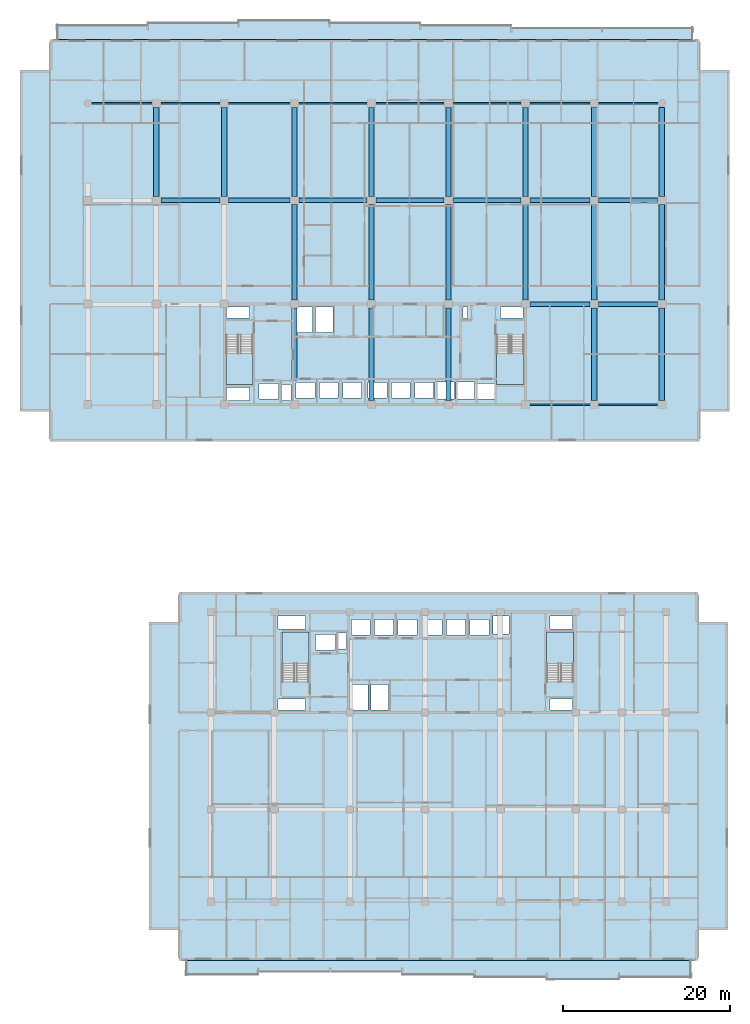
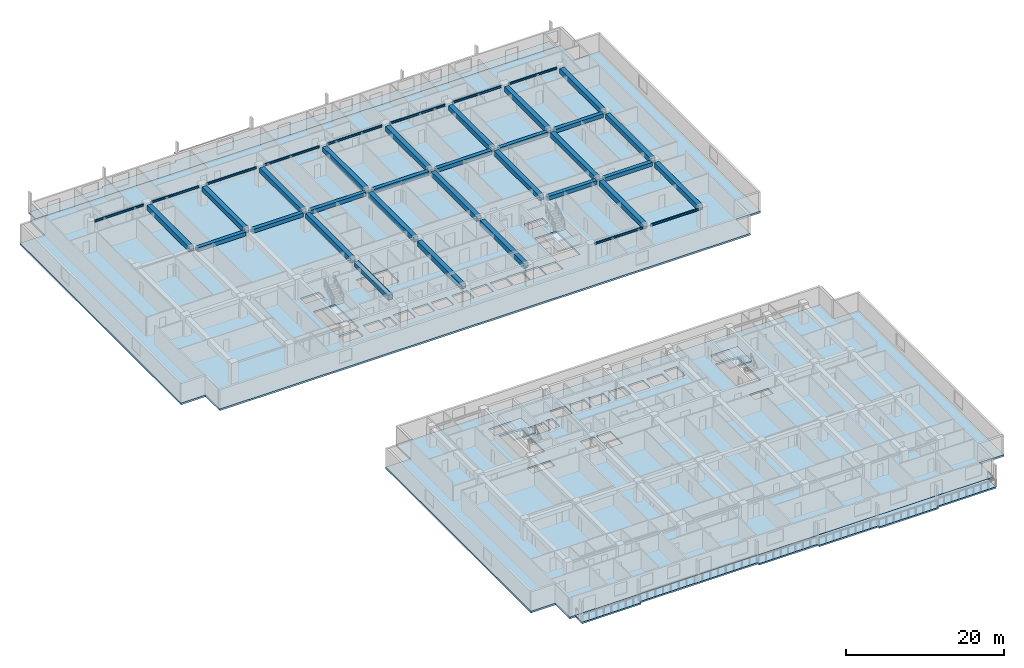
# One storey, part 2 of 23: 38 beams, 8 slabs, 4 elements without a shape of their own.
"""IFC4 building model written with IfcOpenShell, lengths in metres."""

from ifc_helpers import new_model, si_unit, direction, frame, origin, origin_2d, place, context, subcontext, project, spatial, polyline, rectangle, i_section, outline, extrude, material, layer, layer_set, material_profile, profile_set, type_object, element, aggregate, save


model = new_model("IFC4")

# Units and contexts
model_context = context("Model", 3, precision=1e-05, world=origin(), true_north=direction((0.0, 1.0)))
body_context = subcontext(model_context, "Body", "Model", "MODEL_VIEW")
ifc_project = project(units=[si_unit("LENGTHUNIT", "METRE"), si_unit("AREAUNIT", "SQUARE_METRE"), si_unit("VOLUMEUNIT", "CUBIC_METRE"), si_unit("PLANEANGLEUNIT", "RADIAN"), si_unit("MASSUNIT", "GRAM", prefix="KILO")], contexts=[model_context])

# Site, building, storey
site_placement = place(None, origin())
site = spatial("IfcSite", under=ifc_project, at=site_placement, CompositionType="ELEMENT")
building_placement = place(site_placement, origin())
building = spatial("IfcBuilding", under=site, at=building_placement, Name="Korimba Cascade Residences", CompositionType="ELEMENT")
storey_placement = place(building_placement, frame((0.0, 0.0, 50.0)))
storey = spatial("IfcBuildingStorey", under=building, at=storey_placement, Name="L13", CompositionType="ELEMENT", Elevation=50.0)

# Beams
ifc_material_1 = material(Name="Concrete C50/60", Category="concrete")
ifc_material_profile_1 = material_profile(ifc_material_1, rectangle(XDim=0.550048828125, YDim=0.60009765625, at=origin_2d()), Name="Concrete C50/60")
ifc_profile_set_1 = profile_set([ifc_material_profile_1], Name="Concrete C50/60")
beam_type_1 = type_object("IfcBeamType", Name="BM-RC-B600", PredefinedType="BEAM", material=ifc_profile_set_1)
beam_1_placement = place(storey_placement, frame((112.625, 67.199951171875, 2.669921875), z_axis=(1.0, 0.0, 0.0), x_axis=(0.0, 1.0, 0.0)))
element("IfcBeam", 1, at=beam_1_placement, inside=storey, type_object=beam_type_1, Name="L13 T1 E-W Girder Y2 Bay 7", PredefinedType="BEAM", context=body_context, shape_type="SweptSolid", body=[
    extrude(rectangle(XDim=0.550048828125, YDim=0.60009765625, at=origin_2d()), origin(), (0.0, 0.0, 1.0), 7.14990234375),
])
for number, where, z_axis, x_axis, name in (
    (2, (120.824951171875, 67.199951171875, 2.669921875), (1.0, 0.0, 0.0), (0.0, 1.0, 0.0), "L13 T1 E-W Girder Y2 Bay 8"),
    (3, (68.52490234375, 79.60009765625, 2.669921875), (1.0, 0.0, 0.0), (0.0, 1.0, 0.0), "L13 T1 E-W Girder Y3 Bay 2"),
):
    element("IfcBeam", number, at=place(storey_placement, frame(where, z_axis=z_axis, x_axis=x_axis)), inside=storey, type_object=beam_type_1, Name=name, PredefinedType="BEAM", context=body_context, shape_type="SweptSolid", body=[
        extrude(rectangle(XDim=0.550048828125, YDim=0.60009765625, at=origin_2d()), origin(), (0.0, 0.0, 1.0), 7.050048828125),
    ])
beam_2_placement = place(storey_placement, frame((76.625, 79.60009765625, 2.669921875), z_axis=(1.0, 0.0, 0.0), x_axis=(0.0, 1.0, 0.0)))
element("IfcBeam", 4, at=beam_2_placement, inside=storey, type_object=beam_type_1, Name="L13 T1 E-W Girder Y3 Bay 3", PredefinedType="BEAM", context=body_context, shape_type="SweptSolid", body=[
    extrude(rectangle(XDim=0.550048828125, YDim=0.60009765625, at=origin_2d()), origin(), (0.0, 0.0, 1.0), 7.35009765625),
])
beam_3_placement = place(storey_placement, frame((85.02490234375, 79.60009765625, 2.669921875), z_axis=(1.0, 0.0, 0.0), x_axis=(0.0, 1.0, 0.0)))
element("IfcBeam", 5, at=beam_3_placement, inside=storey, type_object=beam_type_1, Name="L13 T1 E-W Girder Y3 Bay 4", PredefinedType="BEAM", context=body_context, shape_type="SweptSolid", body=[
    extrude(rectangle(XDim=0.550048828125, YDim=0.60009765625, at=origin_2d()), origin(), (0.0, 0.0, 1.0), 8.150146484375),
])
for number, where, z_axis, x_axis, name in (
    (6, (94.22509765625, 79.60009765625, 2.669921875), (1.0, 0.0, 0.0), (0.0, 1.0, 0.0), "L13 T1 E-W Girder Y3 Bay 5"),
    (7, (103.425048828125, 79.60009765625, 2.669921875), (1.0, 0.0, 0.0), (0.0, 1.0, 0.0), "L13 T1 E-W Girder Y3 Bay 6"),
):
    element("IfcBeam", number, at=place(storey_placement, frame(where, z_axis=z_axis, x_axis=x_axis)), inside=storey, type_object=beam_type_1, Name=name, PredefinedType="BEAM", context=body_context, shape_type="SweptSolid", body=[
        extrude(rectangle(XDim=0.550048828125, YDim=0.60009765625, at=origin_2d()), origin(), (0.0, 0.0, 1.0), 8.14990234375),
    ])
beam_4_placement = place(storey_placement, frame((112.625, 79.60009765625, 2.669921875), z_axis=(1.0, 0.0, 0.0), x_axis=(0.0, 1.0, 0.0)))
element("IfcBeam", 8, at=beam_4_placement, inside=storey, type_object=beam_type_1, Name="L13 T1 E-W Girder Y3 Bay 7", PredefinedType="BEAM", context=body_context, shape_type="SweptSolid", body=[
    extrude(rectangle(XDim=0.550048828125, YDim=0.60009765625, at=origin_2d()), origin(), (0.0, 0.0, 1.0), 7.14990234375),
])
beam_5_placement = place(storey_placement, frame((120.824951171875, 79.60009765625, 2.669921875), z_axis=(1.0, 0.0, 0.0), x_axis=(0.0, 1.0, 0.0)))
element("IfcBeam", 9, at=beam_5_placement, inside=storey, type_object=beam_type_1, Name="L13 T1 E-W Girder Y3 Bay 8", PredefinedType="BEAM", context=body_context, shape_type="SweptSolid", body=[
    extrude(rectangle(XDim=0.550048828125, YDim=0.60009765625, at=origin_2d()), origin(), (0.0, 0.0, 1.0), 7.050048828125),
])
ifc_material_profile_2 = material_profile(ifc_material_1, rectangle(XDim=0.64990234375, YDim=0.75, at=origin_2d()), Name="Concrete C50/60")
ifc_profile_set_2 = profile_set([ifc_material_profile_2], Name="Concrete C50/60")
beam_type_2 = type_object("IfcBeamType", Name="BM-RC-G750", PredefinedType="BEAM", material=ifc_profile_set_2)
for number, where, z_axis, x_axis, name in (
    (10, (68.0, 80.074951171875, 2.594970703125), (0.0, 1.0, 0.0), (-1.0, 0.0, 0.0), "L13 T1 N-S Girder X2 Seg 3"),
    (11, (76.10009765625, 80.074951171875, 2.594970703125), (0.0, 1.0, 0.0), (-1.0, 0.0, 0.0), "L13 T1 N-S Girder X3 Seg 3"),
):
    element("IfcBeam", number, at=place(storey_placement, frame(where, z_axis=z_axis, x_axis=x_axis)), inside=storey, type_object=beam_type_2, Name=name, PredefinedType="BEAM", context=body_context, shape_type="SweptSolid", body=[
        extrude(rectangle(XDim=0.64990234375, YDim=0.75, at=origin_2d()), origin(), (0.0, 0.0, 1.0), 10.650146484375),
    ])
beam_6_placement = place(storey_placement, frame((84.5, 58.159912109375, 2.594970703125), z_axis=(0.0, 1.0, 0.0), x_axis=(-1.0, 0.0, 0.0)))
element("IfcBeam", 12, at=beam_6_placement, inside=storey, type_object=beam_type_2, Name="L13 T1 N-S Girder X4 Seg 1", PredefinedType="BEAM", context=body_context, shape_type="SweptSolid", body=[
    extrude(rectangle(XDim=0.64990234375, YDim=0.75, at=origin_2d()), origin(), (0.0, 0.0, 1.0), 8.565185546875),
])
beam_7_placement = place(storey_placement, frame((84.5, 67.675048828125, 2.594970703125), z_axis=(0.0, 1.0, 0.0), x_axis=(-1.0, 0.0, 0.0)))
element("IfcBeam", 13, at=beam_7_placement, inside=storey, type_object=beam_type_2, Name="L13 T1 N-S Girder X4 Seg 2", PredefinedType="BEAM", context=body_context, shape_type="SweptSolid", body=[
    extrude(rectangle(XDim=0.64990234375, YDim=0.75, at=origin_2d()), origin(), (0.0, 0.0, 1.0), 11.449951171875),
])
beam_8_placement = place(storey_placement, frame((84.5, 80.074951171875, 2.594970703125), z_axis=(0.0, 1.0, 0.0), x_axis=(-1.0, 0.0, 0.0)))
element("IfcBeam", 14, at=beam_8_placement, inside=storey, type_object=beam_type_2, Name="L13 T1 N-S Girder X4 Seg 3", PredefinedType="BEAM", context=body_context, shape_type="SweptSolid", body=[
    extrude(rectangle(XDim=0.64990234375, YDim=0.75, at=origin_2d()), origin(), (0.0, 0.0, 1.0), 10.650146484375),
])
beam_9_placement = place(storey_placement, frame((93.699951171875, 55.675048828125, 2.594970703125), z_axis=(0.0, 1.0, 0.0), x_axis=(-1.0, 0.0, 0.0)))
element("IfcBeam", 15, at=beam_9_placement, inside=storey, type_object=beam_type_2, Name="L13 T1 N-S Girder X5 Seg 1", PredefinedType="BEAM", context=body_context, shape_type="SweptSolid", body=[
    extrude(rectangle(XDim=0.64990234375, YDim=0.75, at=origin_2d()), origin(), (0.0, 0.0, 1.0), 11.050048828125),
])
beam_10_placement = place(storey_placement, frame((93.699951171875, 67.675048828125, 2.594970703125), z_axis=(0.0, 1.0, 0.0), x_axis=(-1.0, 0.0, 0.0)))
element("IfcBeam", 16, at=beam_10_placement, inside=storey, type_object=beam_type_2, Name="L13 T1 N-S Girder X5 Seg 2", PredefinedType="BEAM", context=body_context, shape_type="SweptSolid", body=[
    extrude(rectangle(XDim=0.64990234375, YDim=0.75, at=origin_2d()), origin(), (0.0, 0.0, 1.0), 11.449951171875),
])
beam_11_placement = place(storey_placement, frame((93.699951171875, 80.074951171875, 2.594970703125), z_axis=(0.0, 1.0, 0.0), x_axis=(-1.0, 0.0, 0.0)))
element("IfcBeam", 17, at=beam_11_placement, inside=storey, type_object=beam_type_2, Name="L13 T1 N-S Girder X5 Seg 3", PredefinedType="BEAM", context=body_context, shape_type="SweptSolid", body=[
    extrude(rectangle(XDim=0.64990234375, YDim=0.75, at=origin_2d()), origin(), (0.0, 0.0, 1.0), 10.650146484375),
])
beam_12_placement = place(storey_placement, frame((102.89990234375, 55.675048828125, 2.594970703125), z_axis=(0.0, 1.0, 0.0), x_axis=(-1.0, 0.0, 0.0)))
element("IfcBeam", 18, at=beam_12_placement, inside=storey, type_object=beam_type_2, Name="L13 T1 N-S Girder X6 Seg 1", PredefinedType="BEAM", context=body_context, shape_type="SweptSolid", body=[
    extrude(rectangle(XDim=0.64990234375, YDim=0.75, at=origin_2d()), origin(), (0.0, 0.0, 1.0), 11.050048828125),
])
beam_13_placement = place(storey_placement, frame((102.89990234375, 67.675048828125, 2.594970703125), z_axis=(0.0, 1.0, 0.0), x_axis=(-1.0, 0.0, 0.0)))
element("IfcBeam", 19, at=beam_13_placement, inside=storey, type_object=beam_type_2, Name="L13 T1 N-S Girder X6 Seg 2", PredefinedType="BEAM", context=body_context, shape_type="SweptSolid", body=[
    extrude(rectangle(XDim=0.64990234375, YDim=0.75, at=origin_2d()), origin(), (0.0, 0.0, 1.0), 11.449951171875),
])
beam_14_placement = place(storey_placement, frame((102.89990234375, 80.074951171875, 2.594970703125), z_axis=(0.0, 1.0, 0.0), x_axis=(-1.0, 0.0, 0.0)))
element("IfcBeam", 20, at=beam_14_placement, inside=storey, type_object=beam_type_2, Name="L13 T1 N-S Girder X6 Seg 3", PredefinedType="BEAM", context=body_context, shape_type="SweptSolid", body=[
    extrude(rectangle(XDim=0.64990234375, YDim=0.75, at=origin_2d()), origin(), (0.0, 0.0, 1.0), 10.650146484375),
])
beam_15_placement = place(storey_placement, frame((112.10009765625, 67.675048828125, 2.594970703125), z_axis=(0.0, 1.0, 0.0), x_axis=(-1.0, 0.0, 0.0)))
element("IfcBeam", 21, at=beam_15_placement, inside=storey, type_object=beam_type_2, Name="L13 T1 N-S Girder X7 Seg 2", PredefinedType="BEAM", context=body_context, shape_type="SweptSolid", body=[
    extrude(rectangle(XDim=0.64990234375, YDim=0.75, at=origin_2d()), origin(), (0.0, 0.0, 1.0), 11.449951171875),
])
beam_16_placement = place(storey_placement, frame((112.10009765625, 80.074951171875, 2.594970703125), z_axis=(0.0, 1.0, 0.0), x_axis=(-1.0, 0.0, 0.0)))
element("IfcBeam", 22, at=beam_16_placement, inside=storey, type_object=beam_type_2, Name="L13 T1 N-S Girder X7 Seg 3", PredefinedType="BEAM", context=body_context, shape_type="SweptSolid", body=[
    extrude(rectangle(XDim=0.64990234375, YDim=0.75, at=origin_2d()), origin(), (0.0, 0.0, 1.0), 10.650146484375),
])
beam_17_placement = place(storey_placement, frame((120.300048828125, 55.675048828125, 2.594970703125), z_axis=(0.0, 1.0, 0.0), x_axis=(-1.0, 0.0, 0.0)))
element("IfcBeam", 23, at=beam_17_placement, inside=storey, type_object=beam_type_2, Name="L13 T1 N-S Girder X8 Seg 1", PredefinedType="BEAM", context=body_context, shape_type="SweptSolid", body=[
    extrude(rectangle(XDim=0.64990234375, YDim=0.75, at=origin_2d()), origin(), (0.0, 0.0, 1.0), 11.050048828125),
])
beam_18_placement = place(storey_placement, frame((120.300048828125, 67.675048828125, 2.594970703125), z_axis=(0.0, 1.0, 0.0), x_axis=(-1.0, 0.0, 0.0)))
element("IfcBeam", 24, at=beam_18_placement, inside=storey, type_object=beam_type_2, Name="L13 T1 N-S Girder X8 Seg 2", PredefinedType="BEAM", context=body_context, shape_type="SweptSolid", body=[
    extrude(rectangle(XDim=0.64990234375, YDim=0.75, at=origin_2d()), origin(), (0.0, 0.0, 1.0), 11.449951171875),
])
beam_19_placement = place(storey_placement, frame((120.300048828125, 80.074951171875, 2.594970703125), z_axis=(0.0, 1.0, 0.0), x_axis=(-1.0, 0.0, 0.0)))
element("IfcBeam", 25, at=beam_19_placement, inside=storey, type_object=beam_type_2, Name="L13 T1 N-S Girder X8 Seg 3", PredefinedType="BEAM", context=body_context, shape_type="SweptSolid", body=[
    extrude(rectangle(XDim=0.64990234375, YDim=0.75, at=origin_2d()), origin(), (0.0, 0.0, 1.0), 10.650146484375),
])
beam_20_placement = place(storey_placement, frame((128.39990234375, 55.675048828125, 2.594970703125), z_axis=(0.0, 1.0, 0.0), x_axis=(-1.0, 0.0, 0.0)))
element("IfcBeam", 26, at=beam_20_placement, inside=storey, type_object=beam_type_2, Name="L13 T1 N-S Girder X9 Seg 1", PredefinedType="BEAM", context=body_context, shape_type="SweptSolid", body=[
    extrude(rectangle(XDim=0.64990234375, YDim=0.75, at=origin_2d()), origin(), (0.0, 0.0, 1.0), 11.050048828125),
])
beam_21_placement = place(storey_placement, frame((128.39990234375, 67.675048828125, 2.594970703125), z_axis=(0.0, 1.0, 0.0), x_axis=(-1.0, 0.0, 0.0)))
element("IfcBeam", 27, at=beam_21_placement, inside=storey, type_object=beam_type_2, Name="L13 T1 N-S Girder X9 Seg 2", PredefinedType="BEAM", context=body_context, shape_type="SweptSolid", body=[
    extrude(rectangle(XDim=0.64990234375, YDim=0.75, at=origin_2d()), origin(), (0.0, 0.0, 1.0), 11.449951171875),
])
beam_22_placement = place(storey_placement, frame((128.39990234375, 80.074951171875, 2.594970703125), z_axis=(0.0, 1.0, 0.0), x_axis=(-1.0, 0.0, 0.0)))
element("IfcBeam", 28, at=beam_22_placement, inside=storey, type_object=beam_type_2, Name="L13 T1 N-S Girder X9 Seg 3", PredefinedType="BEAM", context=body_context, shape_type="SweptSolid", body=[
    extrude(rectangle(XDim=0.64990234375, YDim=0.75, at=origin_2d()), origin(), (0.0, 0.0, 1.0), 10.650146484375),
])
ifc_material_2 = material(Name="Steel S355", Category="steel")
ifc_material_profile_3 = material_profile(ifc_material_2, i_section(OverallWidth=0.165771484375, OverallDepth=0.306640625, WebThickness=0.006591796875, FlangeThickness=0.01171875, FilletRadius=0.0087890625, at=origin_2d()), Name="Steel S355")
ifc_profile_set_3 = profile_set([ifc_material_profile_3], Name="Steel S355")
beam_type_3 = type_object("IfcBeamType", Name="BM-STL-UB305", PredefinedType="SPANDREL", material=ifc_profile_set_3)
beam_23_placement = place(storey_placement, frame((112.625, 55.199951171875, 2.816650390625), z_axis=(1.0, 0.0, 0.0), x_axis=(0.0, 1.0, 0.0)))
element("IfcBeam", 29, at=beam_23_placement, inside=storey, type_object=beam_type_3, Name="L13 T1 E-W Girder Y1 Bay 7", PredefinedType="SPANDREL", context=body_context, shape_type="SweptSolid", body=[
    extrude(i_section(OverallWidth=0.165771484375, OverallDepth=0.306640625, WebThickness=0.006591796875, FlangeThickness=0.01171875, FilletRadius=0.0087890625, at=origin_2d()), origin(), (0.0, 0.0, 1.0), 7.14990234375),
])
beam_24_placement = place(storey_placement, frame((120.824951171875, 55.199951171875, 2.816650390625), z_axis=(1.0, 0.0, 0.0), x_axis=(0.0, 1.0, 0.0)))
element("IfcBeam", 30, at=beam_24_placement, inside=storey, type_object=beam_type_3, Name="L13 T1 E-W Girder Y1 Bay 8", PredefinedType="SPANDREL", context=body_context, shape_type="SweptSolid", body=[
    extrude(i_section(OverallWidth=0.165771484375, OverallDepth=0.306640625, WebThickness=0.006591796875, FlangeThickness=0.01171875, FilletRadius=0.0087890625, at=origin_2d()), origin(), (0.0, 0.0, 1.0), 7.050048828125),
])
beam_25_placement = place(storey_placement, frame((60.27490234375, 91.199951171875, 2.816650390625), z_axis=(1.0, 0.0, 0.0), x_axis=(0.0, 1.0, 0.0)))
element("IfcBeam", 31, at=beam_25_placement, inside=storey, type_object=beam_type_3, Name="L13 T1 E-W Girder Y4 Bay 1", PredefinedType="SPANDREL", context=body_context, shape_type="SweptSolid", body=[
    extrude(i_section(OverallWidth=0.165771484375, OverallDepth=0.306640625, WebThickness=0.006591796875, FlangeThickness=0.01171875, FilletRadius=0.0087890625, at=origin_2d()), origin(), (0.0, 0.0, 1.0), 7.2001953125),
])
beam_26_placement = place(storey_placement, frame((68.52490234375, 91.199951171875, 2.816650390625), z_axis=(1.0, 0.0, 0.0), x_axis=(0.0, 1.0, 0.0)))
element("IfcBeam", 32, at=beam_26_placement, inside=storey, type_object=beam_type_3, Name="L13 T1 E-W Girder Y4 Bay 2", PredefinedType="SPANDREL", context=body_context, shape_type="SweptSolid", body=[
    extrude(i_section(OverallWidth=0.165771484375, OverallDepth=0.306640625, WebThickness=0.006591796875, FlangeThickness=0.01171875, FilletRadius=0.0087890625, at=origin_2d()), origin(), (0.0, 0.0, 1.0), 7.050048828125),
])
beam_27_placement = place(storey_placement, frame((76.625, 91.199951171875, 2.816650390625), z_axis=(1.0, 0.0, 0.0), x_axis=(0.0, 1.0, 0.0)))
element("IfcBeam", 33, at=beam_27_placement, inside=storey, type_object=beam_type_3, Name="L13 T1 E-W Girder Y4 Bay 3", PredefinedType="SPANDREL", context=body_context, shape_type="SweptSolid", body=[
    extrude(i_section(OverallWidth=0.165771484375, OverallDepth=0.306640625, WebThickness=0.006591796875, FlangeThickness=0.01171875, FilletRadius=0.0087890625, at=origin_2d()), origin(), (0.0, 0.0, 1.0), 7.35009765625),
])
beam_28_placement = place(storey_placement, frame((85.02490234375, 91.199951171875, 2.816650390625), z_axis=(1.0, 0.0, 0.0), x_axis=(0.0, 1.0, 0.0)))
element("IfcBeam", 34, at=beam_28_placement, inside=storey, type_object=beam_type_3, Name="L13 T1 E-W Girder Y4 Bay 4", PredefinedType="SPANDREL", context=body_context, shape_type="SweptSolid", body=[
    extrude(i_section(OverallWidth=0.165771484375, OverallDepth=0.306640625, WebThickness=0.006591796875, FlangeThickness=0.01171875, FilletRadius=0.0087890625, at=origin_2d()), origin(), (0.0, 0.0, 1.0), 8.150146484375),
])
for number, where, z_axis, x_axis, name in (
    (35, (94.22509765625, 91.199951171875, 2.816650390625), (1.0, 0.0, 0.0), (0.0, 1.0, 0.0), "L13 T1 E-W Girder Y4 Bay 5"),
    (36, (103.425048828125, 91.199951171875, 2.816650390625), (1.0, 0.0, 0.0), (0.0, 1.0, 0.0), "L13 T1 E-W Girder Y4 Bay 6"),
):
    element("IfcBeam", number, at=place(storey_placement, frame(where, z_axis=z_axis, x_axis=x_axis)), inside=storey, type_object=beam_type_3, Name=name, PredefinedType="SPANDREL", context=body_context, shape_type="SweptSolid", body=[
        extrude(i_section(OverallWidth=0.165771484375, OverallDepth=0.306640625, WebThickness=0.006591796875, FlangeThickness=0.01171875, FilletRadius=0.0087890625, at=origin_2d()), origin(), (0.0, 0.0, 1.0), 8.14990234375),
    ])
beam_29_placement = place(storey_placement, frame((112.625, 91.199951171875, 2.816650390625), z_axis=(1.0, 0.0, 0.0), x_axis=(0.0, 1.0, 0.0)))
element("IfcBeam", 37, at=beam_29_placement, inside=storey, type_object=beam_type_3, Name="L13 T1 E-W Girder Y4 Bay 7", PredefinedType="SPANDREL", context=body_context, shape_type="SweptSolid", body=[
    extrude(i_section(OverallWidth=0.165771484375, OverallDepth=0.306640625, WebThickness=0.006591796875, FlangeThickness=0.01171875, FilletRadius=0.0087890625, at=origin_2d()), origin(), (0.0, 0.0, 1.0), 7.14990234375),
])
beam_30_placement = place(storey_placement, frame((120.824951171875, 91.199951171875, 2.816650390625), z_axis=(1.0, 0.0, 0.0), x_axis=(0.0, 1.0, 0.0)))
element("IfcBeam", 38, at=beam_30_placement, inside=storey, type_object=beam_type_3, Name="L13 T1 E-W Girder Y4 Bay 8", PredefinedType="SPANDREL", context=body_context, shape_type="SweptSolid", body=[
    extrude(i_section(OverallWidth=0.165771484375, OverallDepth=0.306640625, WebThickness=0.006591796875, FlangeThickness=0.01171875, FilletRadius=0.0087890625, at=origin_2d()), origin(), (0.0, 0.0, 1.0), 7.10009765625),
])

# Stair, slab
stair_type_1 = type_object("IfcStairType", Name="STR-W1-18R-1806", PredefinedType="HALF_TURN_STAIR", material=ifc_material_1)
stair_1_placement = place(storey_placement, origin())
stair_1 = element("IfcStair", 39, at=stair_1_placement, inside=storey, type_object=stair_type_1, Name="L13 Tower 1 West Fire Stair ST-W1", PredefinedType="HALF_TURN_STAIR")
ifc_layer_1 = layer(ifc_material_1, 0.199951171875)
ifc_layer_set_1 = layer_set([ifc_layer_1], Name="Concrete C50/60")
slab_type_1 = type_object("IfcSlabType", Name="SLB-LND-220", PredefinedType="LANDING", material=ifc_layer_set_1)
slab_1_placement = place(storey_placement, frame((0.0, 0.0, 1.425048828125)))
slab_1 = element("IfcSlab", 40, at=slab_1_placement, type_object=slab_type_1, Name="ST-W1 landing 1", PredefinedType="LANDING", context=body_context, shape_type="SweptSolid", body=[
    extrude(outline(polyline([(76.300048828125, 61.31005859375), (76.300048828125, 57.60009765625), (79.5400390625, 57.60009765625), (79.5400390625, 61.31005859375), (76.300048828125, 61.31005859375)])), origin(), (0.0, 0.0, 1.0), 0.199951171875),
])
aggregate(stair_1, [slab_1])

stair_type_2 = type_object("IfcStairType", Name="STR-W2-18R-1806", PredefinedType="HALF_TURN_STAIR", material=ifc_material_1)
stair_2_placement = place(storey_placement, origin())
stair_2 = element("IfcStair", 41, at=stair_2_placement, inside=storey, type_object=stair_type_2, Name="L13 Tower 1 East Fire Stair ST-W2", PredefinedType="HALF_TURN_STAIR")
slab_2_placement = place(storey_placement, frame((0.0, 0.0, 1.425048828125)))
slab_2 = element("IfcSlab", 42, at=slab_2_placement, type_object=slab_type_1, Name="ST-W2 landing 1", PredefinedType="LANDING", context=body_context, shape_type="SweptSolid", body=[
    extrude(outline(polyline([(108.659912109375, 61.31005859375), (108.659912109375, 57.60009765625), (111.89990234375, 57.60009765625), (111.89990234375, 61.31005859375), (108.659912109375, 61.31005859375)])), origin(), (0.0, 0.0, 1.0), 0.199951171875),
])
aggregate(stair_2, [slab_2])

stair_type_3 = type_object("IfcStairType", Name="STR-E1-18R-1806", PredefinedType="HALF_TURN_STAIR", material=ifc_material_1)
stair_3_placement = place(storey_placement, origin())
stair_3 = element("IfcStair", 43, at=stair_3_placement, inside=storey, type_object=stair_type_3, Name="L13 Tower 2 West Fire Stair ST-E1", PredefinedType="HALF_TURN_STAIR")
slab_3_placement = place(storey_placement, frame((0.0, 0.0, 1.425048828125)))
slab_3 = element("IfcSlab", 44, at=slab_3_placement, type_object=slab_type_1, Name="ST-E1 landing 1", PredefinedType="LANDING", context=body_context, shape_type="SweptSolid", body=[
    extrude(outline(polyline([(86.239990234375, 24.2900390625), (86.239990234375, 28.0), (83.0, 28.0), (83.0, 24.2900390625), (86.239990234375, 24.2900390625)])), origin(), (0.0, 0.0, 1.0), 0.199951171875),
])
aggregate(stair_3, [slab_3])

stair_type_4 = type_object("IfcStairType", Name="STR-E2-18R-1806", PredefinedType="HALF_TURN_STAIR", material=ifc_material_1)
stair_4_placement = place(storey_placement, origin())
stair_4 = element("IfcStair", 45, at=stair_4_placement, inside=storey, type_object=stair_type_4, Name="L13 Tower 2 East Fire Stair ST-E2", PredefinedType="HALF_TURN_STAIR")
slab_4_placement = place(storey_placement, frame((0.0, 0.0, 1.425048828125)))
slab_4 = element("IfcSlab", 46, at=slab_4_placement, type_object=slab_type_1, Name="ST-E2 landing 1", PredefinedType="LANDING", context=body_context, shape_type="SweptSolid", body=[
    extrude(outline(polyline([(117.840087890625, 24.2900390625), (117.840087890625, 28.0), (114.60009765625, 28.0), (114.60009765625, 24.2900390625), (117.840087890625, 24.2900390625)])), origin(), (0.0, 0.0, 1.0), 0.199951171875),
])
aggregate(stair_4, [slab_4])

# Slabs
ifc_material_3 = material(Name="Precast concrete C40/50", Category="concrete")
ifc_layer_2 = layer(ifc_material_3, 0.239990234375)
ifc_layer_set_2 = layer_set([ifc_layer_2], Name="Precast concrete C40/50")
slab_type_2 = type_object("IfcSlabType", Name="SLB-LOG-240", PredefinedType="FLOOR", material=ifc_layer_set_2)
slab_5_placement = place(storey_placement, frame((0.0, 0.0, -0.239990234375)))
element("IfcSlab", 47, at=slab_5_placement, inside=storey, type_object=slab_type_2, Name="L13 Tower 1 North Loggia Slab", PredefinedType="FLOOR", context=body_context, shape_type="SweptSolid", body=[
    extrude(outline(polyline([(56.10009765625, 98.800048828125), (132.10009765625, 98.800048828125), (132.10009765625, 100.25), (110.3857421875, 100.25), (110.3857421875, 100.550048828125), (99.528564453125, 100.550048828125), (99.528564453125, 100.85009765625), (88.67138671875, 100.85009765625), (88.67138671875, 101.14990234375), (77.814208984375, 101.14990234375), (77.814208984375, 100.85009765625), (66.95703125, 100.85009765625), (66.95703125, 100.550048828125), (56.10009765625, 100.550048828125), (56.10009765625, 98.800048828125)])), origin(), (0.0, 0.0, 1.0), 0.239990234375),
])
slab_6_placement = place(storey_placement, frame((0.0, 0.0, -0.239990234375)))
element("IfcSlab", 48, at=slab_6_placement, inside=storey, type_object=slab_type_2, Name="L13 Tower 2 South Loggia Slab", PredefinedType="FLOOR", context=body_context, shape_type="SweptSolid", body=[
    extrude(outline(polyline([(71.5, -12.949951171875), (80.128662109375, -12.949951171875), (80.128662109375, -12.64990234375), (97.3857421875, -12.64990234375), (97.3857421875, -12.949951171875), (106.014404296875, -12.949951171875), (106.014404296875, -13.25), (114.642822265625, -13.25), (114.642822265625, -13.550048828125), (123.271484375, -13.550048828125), (123.271484375, -13.25), (131.89990234375, -13.25), (131.89990234375, -11.199951171875), (71.5, -11.199951171875), (71.5, -12.949951171875)])), origin(), (0.0, 0.0, 1.0), 0.239990234375),
])
ifc_layer_3 = layer(ifc_material_1, 0.280029296875)
ifc_layer_set_3 = layer_set([ifc_layer_3], Name="Concrete C50/60")
slab_type_3 = type_object("IfcSlabType", Name="SLB-TYP-280", PredefinedType="FLOOR", material=ifc_layer_set_3)
slab_7_placement = place(storey_placement, frame((0.0, 0.0, -0.280029296875)))
element("IfcSlab", 49, at=slab_7_placement, inside=storey, type_object=slab_type_3, Name="L13 Tower 1 Floor Slab", PredefinedType="FLOOR", context=body_context, shape_type="SweptSolid", body=[
    extrude(outline(polyline([(55.300048828125, 50.800048828125), (132.89990234375, 50.800048828125), (132.89990234375, 54.39990234375), (136.5, 54.39990234375), (136.5, 95.199951171875), (132.89990234375, 95.199951171875), (132.89990234375, 98.800048828125), (55.300048828125, 98.800048828125), (55.300048828125, 95.199951171875), (51.699951171875, 95.199951171875), (51.699951171875, 54.39990234375), (55.300048828125, 54.39990234375), (55.300048828125, 50.800048828125)]), holes=[polyline([(76.300048828125, 63.514892578125), (76.300048828125, 57.60009765625), (79.5400390625, 57.60009765625), (79.5400390625, 63.514892578125), (76.300048828125, 63.514892578125)]), polyline([(108.659912109375, 63.514892578125), (108.659912109375, 57.60009765625), (111.89990234375, 57.60009765625), (111.89990234375, 63.514892578125), (108.659912109375, 63.514892578125)]), polyline([(80.22998046875, 55.8798828125), (82.570068359375, 55.8798828125), (82.570068359375, 57.719970703125), (80.22998046875, 57.719970703125), (80.22998046875, 55.8798828125)]), polyline([(106.080078125, 55.8798828125), (108.419921875, 55.8798828125), (108.419921875, 57.719970703125), (106.080078125, 57.719970703125), (106.080078125, 55.8798828125)]), polyline([(84.679931640625, 55.97998046875), (86.919921875, 55.97998046875), (86.919921875, 57.820068359375), (84.679931640625, 57.820068359375), (84.679931640625, 55.97998046875)]), polyline([(87.47998046875, 55.97998046875), (89.719970703125, 55.97998046875), (89.719970703125, 57.820068359375), (87.47998046875, 57.820068359375), (87.47998046875, 55.97998046875)]), polyline([(90.280029296875, 55.97998046875), (92.52001953125, 55.97998046875), (92.52001953125, 57.820068359375), (90.280029296875, 57.820068359375), (90.280029296875, 55.97998046875)]), polyline([(93.280029296875, 55.97998046875), (95.52001953125, 55.97998046875), (95.52001953125, 57.820068359375), (93.280029296875, 57.820068359375), (93.280029296875, 55.97998046875)]), polyline([(96.080078125, 55.97998046875), (98.320068359375, 55.97998046875), (98.320068359375, 57.820068359375), (96.080078125, 57.820068359375), (96.080078125, 55.97998046875)]), polyline([(98.8798828125, 55.97998046875), (101.1201171875, 55.97998046875), (101.1201171875, 57.820068359375), (98.8798828125, 57.820068359375), (98.8798828125, 55.97998046875)]), polyline([(101.304931640625, 55.8798828125), (103.594970703125, 55.8798828125), (103.594970703125, 57.919921875), (101.304931640625, 57.919921875), (101.304931640625, 55.8798828125)]), polyline([(103.705078125, 55.8798828125), (105.9951171875, 55.8798828125), (105.9951171875, 57.919921875), (103.705078125, 57.919921875), (103.705078125, 55.8798828125)]), polyline([(82.97998046875, 55.679931640625), (84.080078125, 55.679931640625), (84.080078125, 57.6201171875), (82.97998046875, 57.6201171875), (82.97998046875, 55.679931640625)]), polyline([(76.39990234375, 65.56005859375), (79.10009765625, 65.56005859375), (79.10009765625, 66.8798828125), (76.39990234375, 66.8798828125), (76.39990234375, 65.56005859375)]), polyline([(76.39990234375, 55.679931640625), (79.10009765625, 55.679931640625), (79.10009765625, 57.239990234375), (76.39990234375, 57.239990234375), (76.39990234375, 55.679931640625)]), polyline([(84.530029296875, 63.820068359375), (86.6201171875, 63.820068359375), (86.6201171875, 66.8798828125), (84.530029296875, 66.8798828125), (84.530029296875, 63.820068359375)]), polyline([(86.97998046875, 63.820068359375), (89.070068359375, 63.820068359375), (89.070068359375, 66.8798828125), (86.97998046875, 66.8798828125), (86.97998046875, 63.820068359375)]), polyline([(104.6201171875, 65.4599609375), (105.179931640625, 65.4599609375), (105.179931640625, 66.8798828125), (104.6201171875, 66.8798828125), (104.6201171875, 65.4599609375)]), polyline([(109.080078125, 65.56005859375), (111.800048828125, 65.56005859375), (111.800048828125, 66.8798828125), (109.080078125, 66.8798828125), (109.080078125, 65.56005859375)])]), origin(), (0.0, 0.0, 1.0), 0.280029296875),
])
slab_8_placement = place(storey_placement, frame((0.0, 0.0, -0.280029296875)))
element("IfcSlab", 50, at=slab_8_placement, inside=storey, type_object=slab_type_3, Name="L13 Tower 2 Floor Slab", PredefinedType="FLOOR", context=body_context, shape_type="SweptSolid", body=[
    extrude(outline(polyline([(70.699951171875, -11.199951171875), (132.699951171875, -11.199951171875), (132.699951171875, -7.60009765625), (136.300048828125, -7.60009765625), (136.300048828125, 29.199951171875), (132.699951171875, 29.199951171875), (132.699951171875, 32.800048828125), (70.699951171875, 32.800048828125), (70.699951171875, 29.199951171875), (67.10009765625, 29.199951171875), (67.10009765625, -7.60009765625), (70.699951171875, -7.60009765625), (70.699951171875, -11.199951171875)]), holes=[polyline([(86.239990234375, 22.0849609375), (86.239990234375, 28.0), (83.0, 28.0), (83.0, 22.0849609375), (86.239990234375, 22.0849609375)]), polyline([(117.840087890625, 22.0849609375), (117.840087890625, 28.0), (114.60009765625, 28.0), (114.60009765625, 22.0849609375), (117.840087890625, 22.0849609375)]), polyline([(87.030029296875, 25.8798828125), (89.3701171875, 25.8798828125), (89.3701171875, 27.719970703125), (87.030029296875, 27.719970703125), (87.030029296875, 25.8798828125)]), polyline([(91.280029296875, 27.679931640625), (93.52001953125, 27.679931640625), (93.52001953125, 29.52001953125), (91.280029296875, 29.52001953125), (91.280029296875, 27.679931640625)]), polyline([(94.080078125, 27.679931640625), (96.320068359375, 27.679931640625), (96.320068359375, 29.52001953125), (94.080078125, 29.52001953125), (94.080078125, 27.679931640625)]), polyline([(96.8798828125, 27.679931640625), (99.1201171875, 27.679931640625), (99.1201171875, 29.52001953125), (96.8798828125, 29.52001953125), (96.8798828125, 27.679931640625)]), polyline([(99.8798828125, 27.679931640625), (102.1201171875, 27.679931640625), (102.1201171875, 29.52001953125), (99.8798828125, 29.52001953125), (99.8798828125, 27.679931640625)]), polyline([(102.679931640625, 27.679931640625), (104.919921875, 27.679931640625), (104.919921875, 29.52001953125), (102.679931640625, 29.52001953125), (102.679931640625, 27.679931640625)]), polyline([(105.47998046875, 27.679931640625), (107.719970703125, 27.679931640625), (107.719970703125, 29.52001953125), (105.47998046875, 29.52001953125), (105.47998046875, 27.679931640625)]), polyline([(89.780029296875, 25.97998046875), (90.719970703125, 25.97998046875), (90.719970703125, 27.919921875), (89.780029296875, 27.919921875), (89.780029296875, 25.97998046875)]), polyline([(82.530029296875, 18.72998046875), (85.800048828125, 18.72998046875), (85.800048828125, 20.0400390625), (82.530029296875, 20.0400390625), (82.530029296875, 18.72998046875)]), polyline([(82.530029296875, 28.360107421875), (85.800048828125, 28.360107421875), (85.800048828125, 29.969970703125), (82.530029296875, 29.969970703125), (82.530029296875, 28.360107421875)]), polyline([(108.22998046875, 27.780029296875), (110.1201171875, 27.780029296875), (110.1201171875, 29.969970703125), (108.22998046875, 29.969970703125), (108.22998046875, 27.780029296875)]), polyline([(91.22998046875, 18.72998046875), (93.27001953125, 18.72998046875), (93.27001953125, 21.780029296875), (91.22998046875, 21.780029296875), (91.22998046875, 18.72998046875)]), polyline([(93.6298828125, 18.72998046875), (95.719970703125, 18.72998046875), (95.719970703125, 21.780029296875), (93.6298828125, 21.780029296875), (93.6298828125, 18.72998046875)]), polyline([(115.02001953125, 18.72998046875), (117.739990234375, 18.72998046875), (117.739990234375, 20.0400390625), (115.02001953125, 20.0400390625), (115.02001953125, 18.72998046875)]), polyline([(115.02001953125, 28.360107421875), (117.739990234375, 28.360107421875), (117.739990234375, 29.969970703125), (115.02001953125, 29.969970703125), (115.02001953125, 28.360107421875)])]), origin(), (0.0, 0.0, 1.0), 0.280029296875),
])

save(model, "model.ifc")
